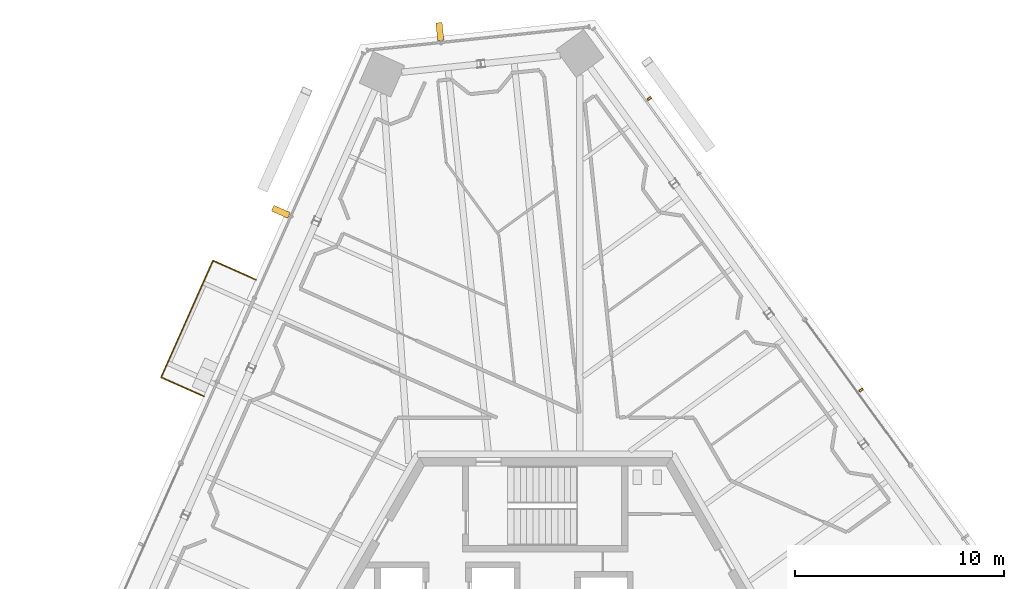
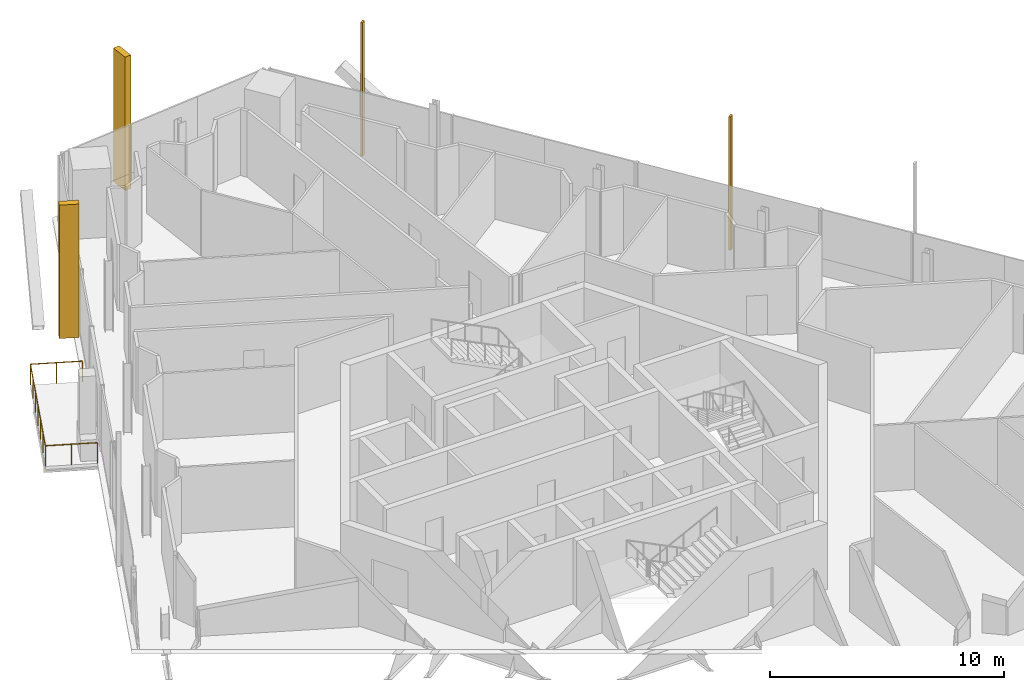
# One storey, part 18 of 21: 4 shading devices, 1 railing.
"""IFC4 building model written with IfcOpenShell, lengths in metres."""

from ifc_helpers import new_model, si_unit, direction, frame, origin, origin_2d, place, context, subcontext, project, spatial, rectangle, circle, extrude, source, transform, mapped, material, type_object, element, save


model = new_model("IFC4")

# Units and contexts
model_context = context("Model", 3, precision=1e-05, world=origin(), true_north=direction((0.0, 1.0)))
body_context = subcontext(model_context, "Body", "Model", "MODEL_VIEW")
ifc_project = project(units=[si_unit("LENGTHUNIT", "METRE"), si_unit("AREAUNIT", "SQUARE_METRE"), si_unit("VOLUMEUNIT", "CUBIC_METRE"), si_unit("PLANEANGLEUNIT", "RADIAN"), si_unit("MASSUNIT", "GRAM", prefix="KILO")], contexts=[model_context])

# Site, building, storey
site_placement = place(None, origin())
site = spatial("IfcSite", under=ifc_project, at=site_placement, CompositionType="ELEMENT")
building_placement = place(site_placement, origin())
building = spatial("IfcBuilding", under=site, at=building_placement, Name="Triune Harvest Tower", CompositionType="ELEMENT")
storey_placement = place(building_placement, frame((0.0, 0.0, 248.5)))
storey = spatial("IfcBuildingStorey", under=building, at=storey_placement, Name="L65", CompositionType="ELEMENT", Elevation=248.5)

# Railing
ifc_material_1 = material(Name="Glass", Category="glass")
railing_type = type_object("IfcRailingType", Name="GD-2 balcony guard 1100", PredefinedType="GUARDRAIL", material=ifc_material_1)
railing_placement = place(storey_placement, frame((-13.816650390625, 18.88525390625, 0.0)))
element("IfcRailing", 1, at=railing_placement, inside=storey, type_object=railing_type, Name="Balcony guard B6-F3 L65.4", PredefinedType="GUARDRAIL", context=body_context, shape_type="SweptSolid", body=[
    extrude(circle(Radius=0.02392578125, at=origin_2d()), frame((0.0, 0.0, 1.076171875), z_axis=(-0.913527473281, 0.40677703421, 0.0), x_axis=(-0.40677703421, -0.913527473281, 0.0)), (0.0, 0.0, 1.0), 2.234375),
    extrude(circle(Radius=0.02392578125, at=origin_2d()), frame((-2.041259765625, 0.908935546875, 1.076171875), z_axis=(-0.406725127709, -0.913550584527, 0.0), x_axis=(0.913550584527, -0.406725127709, 0.0)), (0.0, 0.0, 1.0), 6.099853515625),
    extrude(circle(Radius=0.02392578125, at=origin_2d()), frame((-4.522216796875, -4.66357421875, 1.076171875), z_axis=(0.913568071974, -0.406685846656, 0.0), x_axis=(0.406685846656, 0.913568071974, 0.0)), (0.0, 0.0, 1.0), 2.234375),
    extrude(circle(Radius=0.02099609375, at=origin_2d()), origin(), (0.0, 0.0, 1.0), 1.052001953125),
    extrude(circle(Radius=0.02099609375, at=origin_2d()), frame((-1.0205078125, 0.45458984375, 0.0)), (0.0, 0.0, 1.0), 1.052001953125),
    extrude(circle(Radius=0.02099609375, at=origin_2d()), frame((-2.041259765625, 0.908935546875, 0.0)), (0.0, 0.0, 1.0), 1.052001953125),
    extrude(circle(Radius=0.02099609375, at=origin_2d()), frame((-2.454833984375, -0.019775390625, 0.0)), (0.0, 0.0, 1.0), 1.052001953125),
    extrude(circle(Radius=0.02099609375, at=origin_2d()), frame((-2.8681640625, -0.948486328125, 0.0)), (0.0, 0.0, 1.0), 1.052001953125),
    extrude(circle(Radius=0.02099609375, at=origin_2d()), frame((-3.28173828125, -1.87744140625, 0.0)), (0.0, 0.0, 1.0), 1.052001953125),
    extrude(circle(Radius=0.02099609375, at=origin_2d()), frame((-3.6953125, -2.80615234375, 0.0)), (0.0, 0.0, 1.0), 1.052001953125),
    extrude(circle(Radius=0.02099609375, at=origin_2d()), frame((-4.108642578125, -3.73486328125, 0.0)), (0.0, 0.0, 1.0), 1.052001953125),
    extrude(circle(Radius=0.02099609375, at=origin_2d()), frame((-4.522216796875, -4.66357421875, 0.0)), (0.0, 0.0, 1.0), 1.052001953125),
    extrude(circle(Radius=0.02099609375, at=origin_2d()), frame((-3.50146484375, -5.117919921875, 0.0)), (0.0, 0.0, 1.0), 1.052001953125),
    extrude(circle(Radius=0.02099609375, at=origin_2d()), frame((-2.48095703125, -5.572265625, 0.0)), (0.0, 0.0, 1.0), 1.052001953125),
])

# Shading devices
ifc_material_2 = material(Name="Aluminium bronze anodised", Category="aluminium")
shared_shape_1 = source(origin(), body_context, "Body", "SweptSolid", [
    extrude(rectangle(XDim=0.300048828125, YDim=0.85009765625, at=origin_2d()), origin(), (0.0, 0.0, 1.0), 6.949951171875),
])
for number, where, z_axis, x_axis, name in (
    (2, (-5.02734375, 30.72900390625, 0.0), (0.0, 0.0, 1.0), (-0.994521768229, -0.104529672907, 0.0), "FN-2 fin B6-F2.3 L65"),
    (3, (-12.62109375, 22.12353515625, 0.0), (0.0, 0.0, 1.0), (-0.406737912248, -0.91354489257, 0.0), "FN-2 fin B6-F3.3 L65"),
):
    element("IfcShadingDevice", number, at=place(storey_placement, frame(where, z_axis=z_axis, x_axis=x_axis)), inside=storey, material=ifc_material_2, Name=name, ObjectType="FIN", PredefinedType="USERDEFINED", context=body_context, shape_type="MappedRepresentation", body=[
        mapped(shared_shape_1, transform((0.0, 0.0, 0.0), scale=1.0)),
    ])
shared_shape_2 = source(origin(), body_context, "Body", "SweptSolid", [
    extrude(rectangle(XDim=0.10009765625, YDim=0.199951171875, at=origin_2d()), origin(), (0.0, 0.0, 1.0), 6.949951171875),
])
for number, where, z_axis, x_axis, name in (
    (4, (15.081298828125, 13.61474609375, 0.0), (0.0, 0.0, 1.0), (-0.587785672066, 0.809016689391, 0.0), "FN-1 fin B6-F1.7 L65"),
    (5, (4.97119140625, 27.52978515625, 0.0), (0.0, 0.0, 1.0), (-0.587785672066, 0.809016689391, 0.0), "FN-1 fin B6-F1.11 L65"),
):
    element("IfcShadingDevice", number, at=place(storey_placement, frame(where, z_axis=z_axis, x_axis=x_axis)), inside=storey, material=ifc_material_2, Name=name, ObjectType="FIN", PredefinedType="USERDEFINED", context=body_context, shape_type="MappedRepresentation", body=[
        mapped(shared_shape_2, transform((0.0, 0.0, 0.0), scale=1.0)),
    ])

save(model, "model.ifc")
